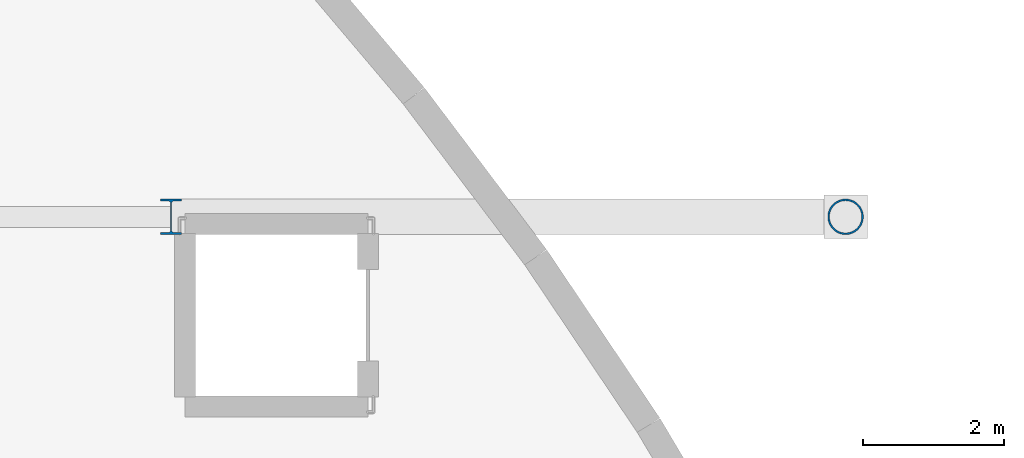
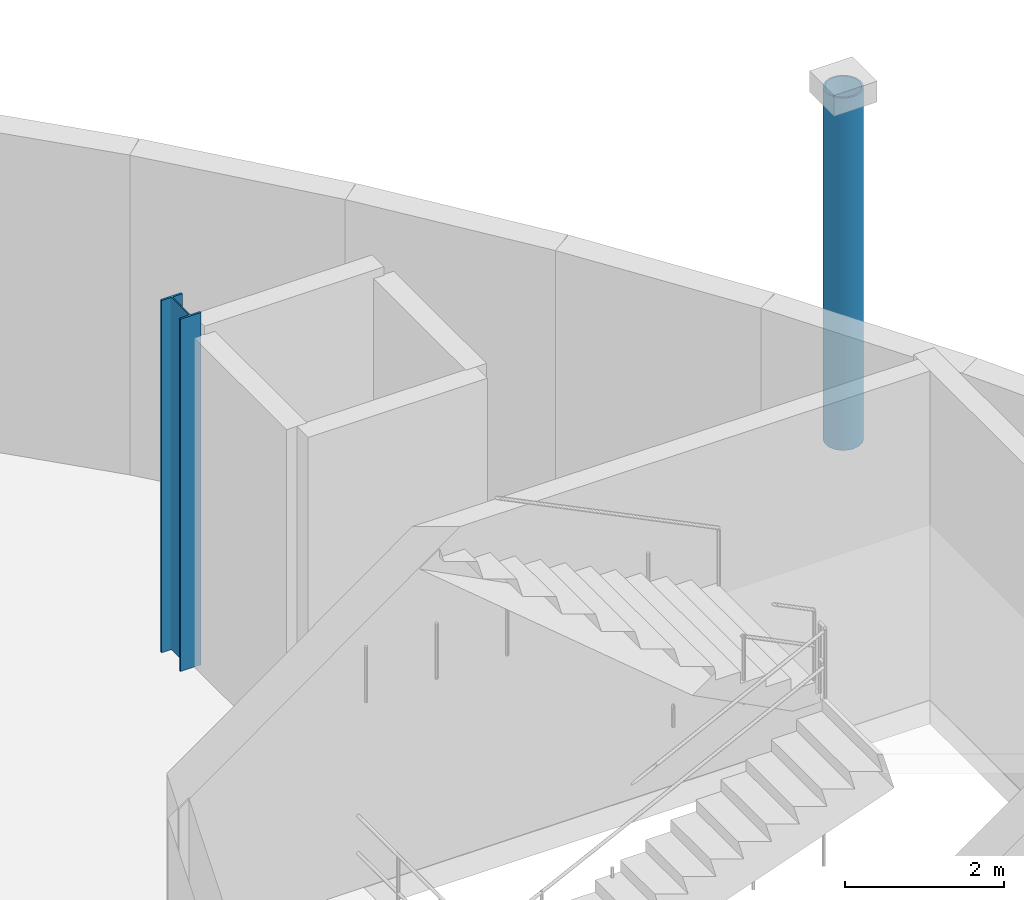
# One storey, part 26 of 129: 2 columns.
"""IFC4 building model written with IfcOpenShell, lengths in metres."""

from ifc_helpers import new_model, si_unit, direction, frame, origin, origin_2d, place, context, subcontext, project, spatial, hollow_circle, i_section, extrude, material, material_profile, profile_set, type_object, element, save


model = new_model("IFC4")

# Units and contexts
model_context = context("Model", 3, precision=1e-05, world=origin(), true_north=direction((0.0, 1.0)))
body_context = subcontext(model_context, "Body", "Model", "MODEL_VIEW")
ifc_project = project(units=[si_unit("LENGTHUNIT", "METRE"), si_unit("AREAUNIT", "SQUARE_METRE"), si_unit("VOLUMEUNIT", "CUBIC_METRE"), si_unit("PLANEANGLEUNIT", "RADIAN"), si_unit("MASSUNIT", "GRAM", prefix="KILO")], contexts=[model_context])

# Site, building, storey
site_placement = place(None, origin())
site = spatial("IfcSite", under=ifc_project, at=site_placement, CompositionType="ELEMENT")
building_placement = place(site_placement, origin())
building = spatial("IfcBuilding", under=site, at=building_placement, Name="Danafjord Basin Convention Centre", CompositionType="ELEMENT")
storey_placement = place(building_placement, frame((0.0, 0.0, 6.0)))
storey = spatial("IfcBuildingStorey", under=building, at=storey_placement, Name="L01", CompositionType="ELEMENT", Elevation=6.0)

# Columns
ifc_material = material(Name="Steel S355", Category="steel")
ifc_material_profile_1 = material_profile(ifc_material, hollow_circle(Radius=0.25390625, WallThickness=0.02490234375, at=origin_2d()), Name="CHS 508.0x25.0")
ifc_profile_set_1 = profile_set([ifc_material_profile_1], Name="Steel S355")
column_type_1 = type_object("IfcColumnType", Name="COL-C-CHS508", PredefinedType="COLUMN", material=ifc_profile_set_1)
column_1_placement = place(storey_placement, frame((201.60009765625, 128.0, 0.0), z_axis=(0.0, 0.0, 1.0), x_axis=(1.0, 0.0, 0.0)))
element("IfcColumn", 1, at=column_1_placement, inside=storey, type_object=column_type_1, Name="L01 column C-CHS508 at (201.6, 128.0)", PredefinedType="COLUMN", context=body_context, shape_type="SweptSolid", body=[
    extrude(hollow_circle(Radius=0.25390625, WallThickness=0.02490234375, at=origin_2d()), origin(), (0.0, 0.0, 1.0), 5.39990234375),
])
ifc_material_profile_2 = material_profile(ifc_material, i_section(OverallWidth=0.300048828125, OverallDepth=0.5, WebThickness=0.014404296875, FlangeThickness=0.028076171875, FilletRadius=0.027099609375, at=origin_2d()), Name="HEB 500")
ifc_profile_set_2 = profile_set([ifc_material_profile_2], Name="Steel S355")
column_type_2 = type_object("IfcColumnType", Name="COL-C-HEB500", PredefinedType="COLUMN", material=ifc_profile_set_2)
column_2_placement = place(storey_placement, frame((192.0, 128.0, 0.0), z_axis=(0.0, 0.0, 1.0), x_axis=(1.0, 0.0, 0.0)))
element("IfcColumn", 2, at=column_2_placement, inside=storey, type_object=column_type_2, Name="L01 column C-HEB500 at (192.0, 128.0)", PredefinedType="COLUMN", context=body_context, shape_type="SweptSolid", body=[
    extrude(i_section(OverallWidth=0.300048828125, OverallDepth=0.5, WebThickness=0.014404296875, FlangeThickness=0.028076171875, FilletRadius=0.027099609375, at=origin_2d()), origin(), (0.0, 0.0, 1.0), 5.39990234375),
])

save(model, "model.ifc")
